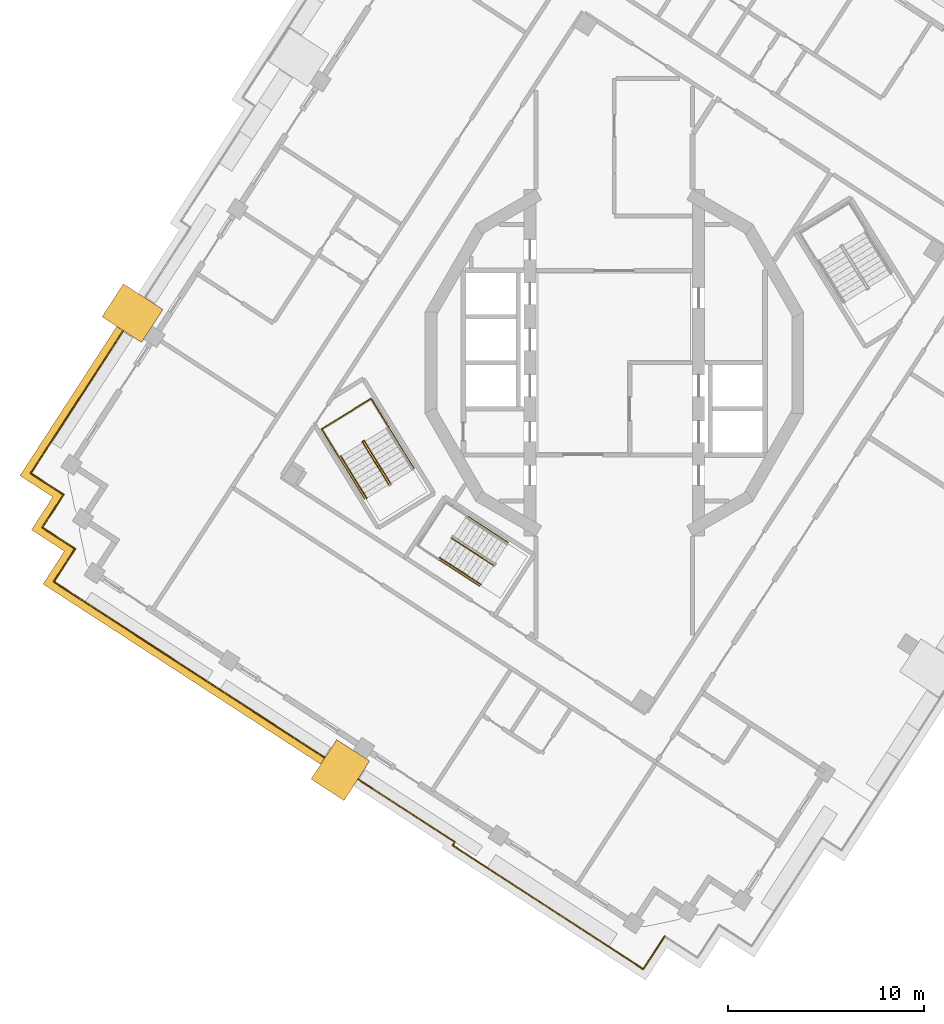
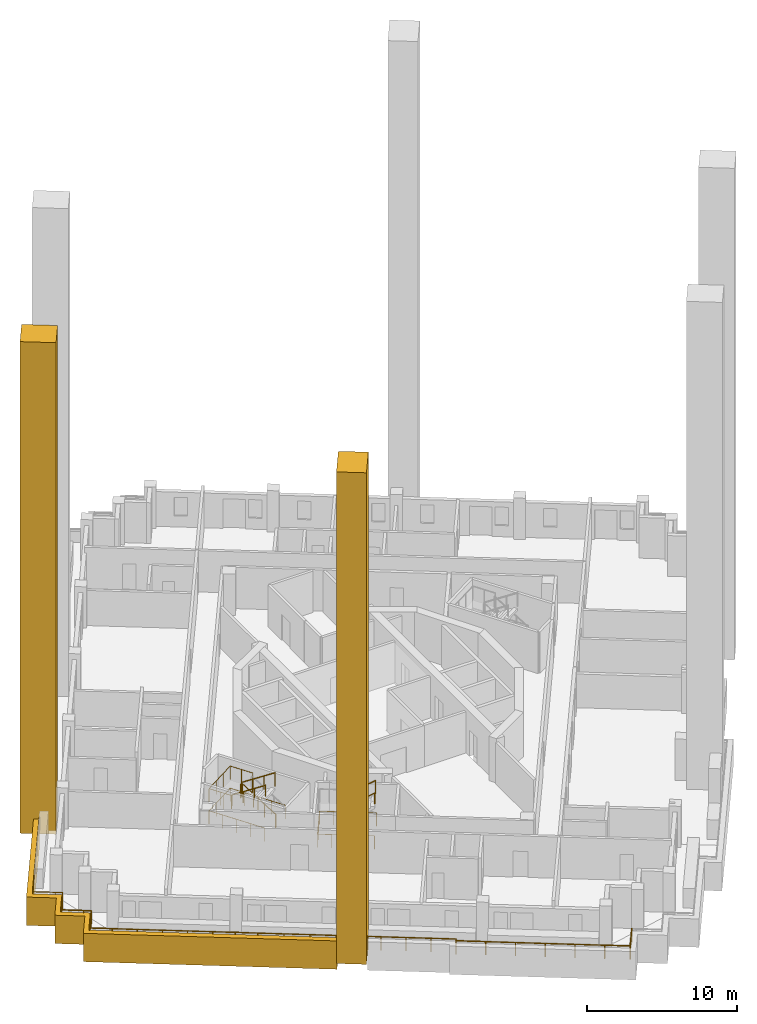
# One storey, part 10 of 15: 11 railings, 3 coverings.
"""IFC4 building model written with IfcOpenShell, lengths in metres."""

from ifc_helpers import new_model, si_unit, direction, frame, origin, origin_2d, place, context, subcontext, project, spatial, polyline, rectangle, circle, outline, extrude, material, type_object, element, save


model = new_model("IFC4")

# Units and contexts
model_context = context("Model", 3, precision=1e-05, world=origin(), true_north=direction((0.0, 1.0)))
body_context = subcontext(model_context, "Body", "Model", "MODEL_VIEW")
ifc_project = project(units=[si_unit("LENGTHUNIT", "METRE"), si_unit("AREAUNIT", "SQUARE_METRE"), si_unit("VOLUMEUNIT", "CUBIC_METRE"), si_unit("PLANEANGLEUNIT", "RADIAN"), si_unit("MASSUNIT", "GRAM", prefix="KILO")], contexts=[model_context])

# Site, building, storey
site_placement = place(None, origin())
site = spatial("IfcSite", under=ifc_project, at=site_placement, CompositionType="ELEMENT")
building_placement = place(site_placement, origin())
building = spatial("IfcBuilding", under=site, at=building_placement, Name="Cantera Rosa Tower", CompositionType="ELEMENT")
storey_placement = place(building_placement, frame((0.0, 0.0, 250.5)))
storey = spatial("IfcBuildingStorey", under=building, at=storey_placement, Name="L55", CompositionType="ELEMENT", Elevation=250.5)

# Railings
ifc_material_1 = material(Name="Stainless steel and laminated glass", Category="steel")
railing_type_1 = type_object("IfcRailingType", Name="GUARD 1100", PredefinedType="BALUSTRADE", material=ifc_material_1)
railing_1_placement = place(storey_placement, frame((-28.3720703125, -7.151123046875, 0.0)))
element("IfcRailing", 1, at=railing_1_placement, inside=storey, type_object=railing_type_1, Name="GUARD L55-1", PredefinedType="BALUSTRADE", context=body_context, shape_type="SweptSolid", body=[
    extrude(circle(Radius=0.030029296875, at=origin_2d()), frame((0.0, 0.0, 1.070068359375), z_axis=(0.544627753175, 0.83867789435, 0.0), x_axis=(-0.83867789435, 0.544627753175, 0.0)), (0.0, 0.0, 1.0), 0.499755859375),
    extrude(circle(Radius=0.030029296875, at=origin_2d()), frame((0.272216796875, 0.419189453125, 1.070068359375), z_axis=(-0.838454772945, 0.544971186143, 0.0), x_axis=(-0.544971186143, -0.838454772945, 0.0)), (0.0, 0.0, 1.0), 0.5),
    extrude(circle(Radius=0.030029296875, at=origin_2d()), frame((-0.14697265625, 0.691650390625, 1.070068359375), z_axis=(-0.8387001057, 0.544593548161, 0.0), x_axis=(-0.544593548161, -0.8387001057, 0.0)), (0.0, 0.0, 1.0), 1.5),
    extrude(circle(Radius=0.030029296875, at=origin_2d()), frame((-1.405029296875, 1.508544921875, 1.070068359375), z_axis=(0.544593548161, 0.8387001057, 0.0), x_axis=(-0.8387001057, 0.544593548161, 0.0)), (0.0, 0.0, 1.0), 1.5),
    extrude(circle(Radius=0.030029296875, at=origin_2d()), frame((-0.588134765625, 2.7666015625, 1.070068359375), z_axis=(0.544645228423, 0.838666545867, 0.0), x_axis=(-0.838666545867, 0.544645228423, 0.0)), (0.0, 0.0, 1.0), 6.2783203125),
    extrude(circle(Radius=0.030029296875, at=origin_2d()), frame((2.831298828125, 8.031982421875, 1.070068359375), z_axis=(-0.832050294338, 0.554700196225, 0.0), x_axis=(-0.554700196225, -0.832050294338, 0.0)), (0.0, 0.0, 1.0), 0.001708984375),
    extrude(circle(Radius=0.030029296875, at=origin_2d()), frame((2.829833984375, 8.032958984375, 1.070068359375), z_axis=(0.544643812911, 0.838667465124, 0.0), x_axis=(-0.838667465124, 0.544643812911, 0.0)), (0.0, 0.0, 1.0), 0.871826171875),
    extrude(circle(Radius=0.02490234375, at=origin_2d()), origin(), (0.0, 0.0, 1.0), 1.0400390625),
    extrude(circle(Radius=0.02490234375, at=origin_2d()), frame((0.272216796875, 0.419189453125, 0.0)), (0.0, 0.0, 1.0), 1.0400390625),
    extrude(circle(Radius=0.02490234375, at=origin_2d()), frame((-0.14697265625, 0.691650390625, 0.0)), (0.0, 0.0, 1.0), 1.0400390625),
    extrude(circle(Radius=0.02490234375, at=origin_2d()), frame((-1.405029296875, 1.508544921875, 0.0)), (0.0, 0.0, 1.0), 1.0400390625),
    extrude(circle(Radius=0.02490234375, at=origin_2d()), frame((-0.588134765625, 2.7666015625, 0.0)), (0.0, 0.0, 1.0), 1.0400390625),
    extrude(circle(Radius=0.02490234375, at=origin_2d()), frame((0.5517578125, 4.521728515625, 0.0)), (0.0, 0.0, 1.0), 1.0400390625),
    extrude(circle(Radius=0.02490234375, at=origin_2d()), frame((1.69140625, 6.27685546875, 0.0)), (0.0, 0.0, 1.0), 1.0400390625),
    extrude(circle(Radius=0.02490234375, at=origin_2d()), frame((2.831298828125, 8.031982421875, 0.0)), (0.0, 0.0, 1.0), 1.0400390625),
    extrude(circle(Radius=0.02490234375, at=origin_2d()), frame((2.829833984375, 8.032958984375, 0.0)), (0.0, 0.0, 1.0), 1.0400390625),
    extrude(circle(Radius=0.02490234375, at=origin_2d()), frame((3.3046875, 8.76416015625, 0.0)), (0.0, 0.0, 1.0), 1.0400390625),
])
railing_2_placement = place(storey_placement, frame((-14.7880859375, -20.14599609375, 0.0)))
element("IfcRailing", 2, at=railing_2_placement, inside=storey, type_object=railing_type_1, Name="GUARD L55-2", PredefinedType="BALUSTRADE", context=body_context, shape_type="SweptSolid", body=[
    extrude(circle(Radius=0.030029296875, at=origin_2d()), frame((0.0, 0.0, 1.070068359375), z_axis=(-0.838443616301, 0.544988350595, 0.0), x_axis=(-0.544988350595, -0.838443616301, 0.0)), (0.0, 0.0, 1.0), 0.06982421875),
    extrude(circle(Radius=0.030029296875, at=origin_2d()), frame((-0.05859375, 0.0380859375, 1.070068359375), z_axis=(-0.838657010828, 0.544659910576, 0.0), x_axis=(-0.544659910576, -0.838657010828, 0.0)), (0.0, 0.0, 1.0), 5.2001953125),
    extrude(circle(Radius=0.030029296875, at=origin_2d()), frame((-4.419677734375, 2.870361328125, 1.070068359375), z_axis=(-0.8387001057, 0.544593548161, 0.0), x_axis=(-0.544593548161, -0.8387001057, 0.0)), (0.0, 0.0, 1.0), 3.0),
    extrude(circle(Radius=0.030029296875, at=origin_2d()), frame((-6.935791015625, 4.504150390625, 1.070068359375), z_axis=(-0.838666659313, 0.544645053734, 0.0), x_axis=(-0.544645053734, -0.838666659313, 0.0)), (0.0, 0.0, 1.0), 6.7001953125),
    extrude(circle(Radius=0.030029296875, at=origin_2d()), frame((-12.554931640625, 8.1533203125, 1.070068359375), z_axis=(-0.838651824232, 0.544667896716, 0.0), x_axis=(-0.544667896716, -0.838651824232, 0.0)), (0.0, 0.0, 1.0), 1.499755859375),
    extrude(circle(Radius=0.030029296875, at=origin_2d()), frame((-13.812744140625, 8.97021484375, 1.070068359375), z_axis=(0.544593548161, 0.8387001057, 0.0), x_axis=(-0.8387001057, 0.544593548161, 0.0)), (0.0, 0.0, 1.0), 1.5),
    extrude(circle(Radius=0.030029296875, at=origin_2d()), frame((-12.995849609375, 10.228271484375, 1.070068359375), z_axis=(0.544627753175, 0.83867789435, 0.0), x_axis=(-0.83867789435, 0.544627753175, 0.0)), (0.0, 0.0, 1.0), 0.499755859375),
    extrude(circle(Radius=0.030029296875, at=origin_2d()), frame((-12.7236328125, 10.6474609375, 1.070068359375), z_axis=(-0.838454772945, 0.544971186143, 0.0), x_axis=(-0.544971186143, -0.838454772945, 0.0)), (0.0, 0.0, 1.0), 0.5),
    extrude(circle(Radius=0.030029296875, at=origin_2d()), frame((-13.142822265625, 10.919921875, 1.070068359375), z_axis=(-0.8387001057, 0.544593548161, 0.0), x_axis=(-0.544593548161, -0.8387001057, 0.0)), (0.0, 0.0, 1.0), 1.5),
    extrude(circle(Radius=0.030029296875, at=origin_2d()), frame((-14.40087890625, 11.73681640625, 1.070068359375), z_axis=(0.544593548161, 0.8387001057, 0.0), x_axis=(-0.8387001057, 0.544593548161, 0.0)), (0.0, 0.0, 1.0), 1.5),
    extrude(circle(Radius=0.02490234375, at=origin_2d()), origin(), (0.0, 0.0, 1.0), 1.0400390625),
    extrude(circle(Radius=0.02490234375, at=origin_2d()), frame((-0.05859375, 0.0380859375, 0.0)), (0.0, 0.0, 1.0), 1.0400390625),
    extrude(circle(Radius=0.02490234375, at=origin_2d()), frame((-1.51220703125, 0.982177734375, 0.0)), (0.0, 0.0, 1.0), 1.0400390625),
    extrude(circle(Radius=0.02490234375, at=origin_2d()), frame((-2.966064453125, 1.92626953125, 0.0)), (0.0, 0.0, 1.0), 1.0400390625),
    extrude(circle(Radius=0.02490234375, at=origin_2d()), frame((-4.419677734375, 2.870361328125, 0.0)), (0.0, 0.0, 1.0), 1.0400390625),
    extrude(circle(Radius=0.02490234375, at=origin_2d()), frame((-5.677734375, 3.687255859375, 0.0)), (0.0, 0.0, 1.0), 1.0400390625),
    extrude(circle(Radius=0.02490234375, at=origin_2d()), frame((-6.935791015625, 4.504150390625, 0.0)), (0.0, 0.0, 1.0), 1.0400390625),
    extrude(circle(Radius=0.02490234375, at=origin_2d()), frame((-8.340576171875, 5.41650390625, 0.0)), (0.0, 0.0, 1.0), 1.0400390625),
    extrude(circle(Radius=0.02490234375, at=origin_2d()), frame((-9.745361328125, 6.32861328125, 0.0)), (0.0, 0.0, 1.0), 1.0400390625),
    extrude(circle(Radius=0.02490234375, at=origin_2d()), frame((-11.150146484375, 7.240966796875, 0.0)), (0.0, 0.0, 1.0), 1.0400390625),
    extrude(circle(Radius=0.02490234375, at=origin_2d()), frame((-12.554931640625, 8.1533203125, 0.0)), (0.0, 0.0, 1.0), 1.0400390625),
    extrude(circle(Radius=0.02490234375, at=origin_2d()), frame((-13.812744140625, 8.97021484375, 0.0)), (0.0, 0.0, 1.0), 1.0400390625),
    extrude(circle(Radius=0.02490234375, at=origin_2d()), frame((-12.995849609375, 10.228271484375, 0.0)), (0.0, 0.0, 1.0), 1.0400390625),
    extrude(circle(Radius=0.02490234375, at=origin_2d()), frame((-12.7236328125, 10.6474609375, 0.0)), (0.0, 0.0, 1.0), 1.0400390625),
    extrude(circle(Radius=0.02490234375, at=origin_2d()), frame((-13.142822265625, 10.919921875, 0.0)), (0.0, 0.0, 1.0), 1.0400390625),
    extrude(circle(Radius=0.02490234375, at=origin_2d()), frame((-14.40087890625, 11.73681640625, 0.0)), (0.0, 0.0, 1.0), 1.0400390625),
    extrude(circle(Radius=0.02490234375, at=origin_2d()), frame((-13.583984375, 12.994873046875, 0.0)), (0.0, 0.0, 1.0), 1.0400390625),
])
railing_3_placement = place(storey_placement, frame((2.571533203125, -29.273193359375, 0.0)))
element("IfcRailing", 3, at=railing_3_placement, inside=storey, type_object=railing_type_1, Name="GUARD L55-5", PredefinedType="BALUSTRADE", context=body_context, shape_type="SweptSolid", body=[
    extrude(circle(Radius=0.030029296875, at=origin_2d()), frame((0.0, 0.0, 1.070068359375), z_axis=(-0.5443304008, -0.838870916629, 0.0), x_axis=(0.838870916629, -0.5443304008, 0.0)), (0.0, 0.0, 1.0), 0.300048828125),
    extrude(circle(Radius=0.030029296875, at=origin_2d()), frame((-0.163330078125, -0.251708984375, 1.070068359375), z_axis=(-0.544751065329, -0.83859780397, 0.0), x_axis=(0.83859780397, -0.544751065329, 0.0)), (0.0, 0.0, 1.0), 1.699951171875),
    extrude(circle(Radius=0.030029296875, at=origin_2d()), frame((-1.08935546875, -1.67724609375, 1.070068359375), z_axis=(-0.838663412569, 0.54465005317, 0.0), x_axis=(-0.54465005317, -0.838663412569, 0.0)), (0.0, 0.0, 1.0), 1.69970703125),
    extrude(circle(Radius=0.030029296875, at=origin_2d()), frame((-2.514892578125, -0.75146484375, 1.070068359375), z_axis=(-0.83867848478, 0.544626843964, 0.0), x_axis=(-0.544626843964, -0.83867848478, 0.0)), (0.0, 0.0, 1.0), 9.900146484375),
    extrude(circle(Radius=0.030029296875, at=origin_2d()), frame((-10.81787109375, 4.640380859375, 1.070068359375), z_axis=(0.544516215992, 0.838750314767, 0.0), x_axis=(-0.838750314767, 0.544516215992, 0.0)), (0.0, 0.0, 1.0), 0.199951171875),
    extrude(circle(Radius=0.030029296875, at=origin_2d()), frame((-10.708984375, 4.80810546875, 1.070068359375), z_axis=(-0.838653278808, 0.544665657027, 0.0), x_axis=(-0.544665657027, -0.838653278808, 0.0)), (0.0, 0.0, 1.0), 5.0),
    extrude(circle(Radius=0.030029296875, at=origin_2d()), frame((-14.90234375, 7.531494140625, 1.070068359375), z_axis=(-0.838725681888, 0.544554157584, 0.0), x_axis=(-0.544554157584, -0.838725681888, 0.0)), (0.0, 0.0, 1.0), 0.869873046875),
    extrude(circle(Radius=0.02490234375, at=origin_2d()), origin(), (0.0, 0.0, 1.0), 1.0400390625),
    extrude(circle(Radius=0.02490234375, at=origin_2d()), frame((-0.163330078125, -0.251708984375, 0.0)), (0.0, 0.0, 1.0), 1.0400390625),
    extrude(circle(Radius=0.02490234375, at=origin_2d()), frame((-1.08935546875, -1.67724609375, 0.0)), (0.0, 0.0, 1.0), 1.0400390625),
    extrude(circle(Radius=0.02490234375, at=origin_2d()), frame((-2.514892578125, -0.75146484375, 0.0)), (0.0, 0.0, 1.0), 1.0400390625),
    extrude(circle(Radius=0.02490234375, at=origin_2d()), frame((-4.175537109375, 0.326904296875, 0.0)), (0.0, 0.0, 1.0), 1.0400390625),
    extrude(circle(Radius=0.02490234375, at=origin_2d()), frame((-5.836181640625, 1.4052734375, 0.0)), (0.0, 0.0, 1.0), 1.0400390625),
    extrude(circle(Radius=0.02490234375, at=origin_2d()), frame((-7.49658203125, 2.483642578125, 0.0)), (0.0, 0.0, 1.0), 1.0400390625),
    extrude(circle(Radius=0.02490234375, at=origin_2d()), frame((-9.1572265625, 3.56201171875, 0.0)), (0.0, 0.0, 1.0), 1.0400390625),
    extrude(circle(Radius=0.02490234375, at=origin_2d()), frame((-10.81787109375, 4.640380859375, 0.0)), (0.0, 0.0, 1.0), 1.0400390625),
    extrude(circle(Radius=0.02490234375, at=origin_2d()), frame((-10.708984375, 4.80810546875, 0.0)), (0.0, 0.0, 1.0), 1.0400390625),
    extrude(circle(Radius=0.02490234375, at=origin_2d()), frame((-12.106689453125, 5.7158203125, 0.0)), (0.0, 0.0, 1.0), 1.0400390625),
    extrude(circle(Radius=0.02490234375, at=origin_2d()), frame((-13.504638671875, 6.623779296875, 0.0)), (0.0, 0.0, 1.0), 1.0400390625),
    extrude(circle(Radius=0.02490234375, at=origin_2d()), frame((-14.90234375, 7.531494140625, 0.0)), (0.0, 0.0, 1.0), 1.0400390625),
    extrude(circle(Radius=0.02490234375, at=origin_2d()), frame((-15.6318359375, 8.005126953125, 0.0)), (0.0, 0.0, 1.0), 1.0400390625),
])
ifc_material_2 = material(Name="Steel S355J2 (EN 10025-2)", Category="steel")
railing_type_2 = type_object("IfcRailingType", Name="STAIR GUARD 1100", PredefinedType="GUARDRAIL", material=ifc_material_2)
railing_4_placement = place(storey_placement, frame((-11.42333984375, -6.165771484375, 0.179931640625)))
element("IfcRailing", 4, at=railing_4_placement, inside=storey, type_object=railing_type_2, Name="L55 ST-52 stair guard 1", PredefinedType="GUARDRAIL", context=body_context, shape_type="SweptSolid", body=[
    extrude(circle(Radius=0.02392578125, at=origin_2d()), frame((0.0, 0.0, 1.076171875), z_axis=(-0.441609067481, 0.715913574058, 0.540785711718), x_axis=(-0.851102330005, -0.524999832248, 0.0)), (0.0, 0.0, 1.0), 2.995849609375),
    extrude(circle(Radius=0.02392578125, at=origin_2d()), frame((-1.322998046875, 2.144775390625, 2.6962890625), z_axis=(-0.073711968402, 0.997279572494, 0.0), x_axis=(-0.997279572494, -0.073711968402, 0.0)), (0.0, 0.0, 1.0), 0.056396484375),
    extrude(circle(Radius=0.02392578125, at=origin_2d()), frame((-1.3271484375, 2.200927734375, 2.6962890625), z_axis=(-0.851546489876, -0.524279100842, 0.0), x_axis=(0.524279100842, -0.851546489876, 0.0)), (0.0, 0.0, 1.0), 0.14990234375),
    extrude(circle(Radius=0.02099609375, at=origin_2d()), origin(), (0.0, 0.0, 1.0), 1.052001953125),
    extrude(circle(Radius=0.02099609375, at=origin_2d()), frame((-0.44091796875, 0.71484375, 0.5400390625)), (0.0, 0.0, 1.0), 1.052001953125),
    extrude(circle(Radius=0.02099609375, at=origin_2d()), frame((-0.882080078125, 1.429931640625, 1.080078125)), (0.0, 0.0, 1.0), 1.052001953125),
    extrude(circle(Radius=0.02099609375, at=origin_2d()), frame((-1.322998046875, 2.144775390625, 1.6201171875)), (0.0, 0.0, 1.0), 1.052001953125),
    extrude(circle(Radius=0.02099609375, at=origin_2d()), frame((-1.3271484375, 2.200927734375, 1.6201171875)), (0.0, 0.0, 1.0), 1.052001953125),
    extrude(circle(Radius=0.02099609375, at=origin_2d()), frame((-1.454833984375, 2.122314453125, 1.6201171875)), (0.0, 0.0, 1.0), 1.052001953125),
])
railing_5_placement = place(storey_placement, frame((-12.82958984375, -4.072509765625, 1.97998046875)))
element("IfcRailing", 5, at=railing_5_placement, inside=storey, type_object=railing_type_2, Name="L55 ST-52 stair guard 2", PredefinedType="GUARDRAIL", context=body_context, shape_type="SweptSolid", body=[
    extrude(circle(Radius=0.02392578125, at=origin_2d()), frame((0.0, 0.0, 1.076171875), z_axis=(0.44154346381, -0.715939337315, 0.540805172729), x_axis=(0.851145618652, 0.524929648476, 0.0)), (0.0, 0.0, 1.0), 2.995849609375),
    extrude(circle(Radius=0.02099609375, at=origin_2d()), origin(), (0.0, 0.0, 1.0), 1.052001953125),
    extrude(circle(Radius=0.02099609375, at=origin_2d()), frame((0.44091796875, -0.71484375, 0.5400390625)), (0.0, 0.0, 1.0), 1.052001953125),
    extrude(circle(Radius=0.02099609375, at=origin_2d()), frame((0.8818359375, -1.429931640625, 1.080078125)), (0.0, 0.0, 1.0), 1.052001953125),
    extrude(circle(Radius=0.02099609375, at=origin_2d()), frame((1.32275390625, -2.144775390625, 1.6201171875)), (0.0, 0.0, 1.0), 1.052001953125),
])
railing_6_placement = place(storey_placement, frame((-10.20751953125, -5.40185546875, 0.0)))
element("IfcRailing", 6, at=railing_6_placement, inside=storey, type_object=railing_type_2, Name="L55 ST-52 stair guard 4", PredefinedType="GUARDRAIL", context=body_context, shape_type="SweptSolid", body=[
    extrude(circle(Radius=0.02392578125, at=origin_2d()), frame((0.0, 0.0, 1.076171875), z_axis=(-0.524976478809, 0.851116735059, 0.0), x_axis=(-0.851116735059, -0.524976478809, 0.0)), (0.0, 0.0, 1.0), 4.197998046875),
    extrude(circle(Radius=0.02392578125, at=origin_2d()), frame((-2.203857421875, 3.572998046875, 1.076171875), z_axis=(-0.851132917336, -0.524950242429, 0.0), x_axis=(0.524950242429, -0.851132917336, 0.0)), (0.0, 0.0, 1.0), 2.969970703125),
    extrude(circle(Radius=0.02392578125, at=origin_2d()), frame((-4.731689453125, 2.013916015625, 1.076171875), z_axis=(0.524976478809, -0.851116735059, 0.0), x_axis=(0.851116735059, 0.524976478809, 0.0)), (0.0, 0.0, 1.0), 4.197998046875),
    extrude(circle(Radius=0.02099609375, at=origin_2d()), origin(), (0.0, 0.0, 1.0), 1.052001953125),
    extrude(circle(Radius=0.02099609375, at=origin_2d()), frame((-0.551025390625, 0.893310546875, 0.0)), (0.0, 0.0, 1.0), 1.052001953125),
    extrude(circle(Radius=0.02099609375, at=origin_2d()), frame((-1.10205078125, 1.78662109375, 0.0)), (0.0, 0.0, 1.0), 1.052001953125),
    extrude(circle(Radius=0.02099609375, at=origin_2d()), frame((-1.65283203125, 2.6796875, 0.0)), (0.0, 0.0, 1.0), 1.052001953125),
    extrude(circle(Radius=0.02099609375, at=origin_2d()), frame((-2.203857421875, 3.572998046875, 0.0)), (0.0, 0.0, 1.0), 1.052001953125),
    extrude(circle(Radius=0.02099609375, at=origin_2d()), frame((-3.04638671875, 3.05322265625, 0.0)), (0.0, 0.0, 1.0), 1.052001953125),
    extrude(circle(Radius=0.02099609375, at=origin_2d()), frame((-3.88916015625, 2.53369140625, 0.0)), (0.0, 0.0, 1.0), 1.052001953125),
    extrude(circle(Radius=0.02099609375, at=origin_2d()), frame((-4.731689453125, 2.013916015625, 0.0)), (0.0, 0.0, 1.0), 1.052001953125),
    extrude(circle(Radius=0.02099609375, at=origin_2d()), frame((-4.1806640625, 1.12060546875, 0.0)), (0.0, 0.0, 1.0), 1.052001953125),
    extrude(circle(Radius=0.02099609375, at=origin_2d()), frame((-3.6298828125, 0.2275390625, 0.0)), (0.0, 0.0, 1.0), 1.052001953125),
    extrude(circle(Radius=0.02099609375, at=origin_2d()), frame((-3.078857421875, -0.665771484375, 0.0)), (0.0, 0.0, 1.0), 1.052001953125),
    extrude(circle(Radius=0.02099609375, at=origin_2d()), frame((-2.52783203125, -1.55908203125, 0.0)), (0.0, 0.0, 1.0), 1.052001953125),
])
railing_7_placement = place(storey_placement, frame((-11.517822265625, -3.27734375, 1.800048828125)))
element("IfcRailing", 7, at=railing_7_placement, inside=storey, type_object=railing_type_2, Name="L55 ST-52 stair guard 5", PredefinedType="GUARDRAIL", context=body_context, shape_type="SweptSolid", body=[
    extrude(circle(Radius=0.02392578125, at=origin_2d()), frame((0.0, 0.0, 1.076171875), z_axis=(-0.525025534833, 0.851086474909, 0.0), x_axis=(-0.851086474909, -0.525025534833, 0.0)), (0.0, 0.0, 1.0), 1.701904296875),
    extrude(circle(Radius=0.02392578125, at=origin_2d()), frame((-0.8935546875, 1.448486328125, 1.076171875), z_axis=(-0.851132917336, -0.524950242429, 0.0), x_axis=(0.524950242429, -0.851132917336, 0.0)), (0.0, 0.0, 1.0), 2.969970703125),
    extrude(circle(Radius=0.02392578125, at=origin_2d()), frame((-3.42138671875, -0.110595703125, 1.076171875), z_axis=(0.524961441845, -0.851126009811, 0.0), x_axis=(0.851126009811, 0.524961441845, 0.0)), (0.0, 0.0, 1.0), 1.7021484375),
    extrude(circle(Radius=0.02099609375, at=origin_2d()), origin(), (0.0, 0.0, 1.0), 1.052001953125),
    extrude(circle(Radius=0.02099609375, at=origin_2d()), frame((-0.44677734375, 0.72412109375, 0.0)), (0.0, 0.0, 1.0), 1.052001953125),
    extrude(circle(Radius=0.02099609375, at=origin_2d()), frame((-0.8935546875, 1.448486328125, 0.0)), (0.0, 0.0, 1.0), 1.052001953125),
    extrude(circle(Radius=0.02099609375, at=origin_2d()), frame((-1.736083984375, 0.9287109375, 0.0)), (0.0, 0.0, 1.0), 1.052001953125),
    extrude(circle(Radius=0.02099609375, at=origin_2d()), frame((-2.578857421875, 0.4091796875, 0.0)), (0.0, 0.0, 1.0), 1.052001953125),
    extrude(circle(Radius=0.02099609375, at=origin_2d()), frame((-3.42138671875, -0.110595703125, 0.0)), (0.0, 0.0, 1.0), 1.052001953125),
    extrude(circle(Radius=0.02099609375, at=origin_2d()), frame((-2.974609375, -0.8349609375, 0.0)), (0.0, 0.0, 1.0), 1.052001953125),
    extrude(circle(Radius=0.02099609375, at=origin_2d()), frame((-2.52783203125, -1.559326171875, 0.0)), (0.0, 0.0, 1.0), 1.052001953125),
])
railing_8_placement = place(storey_placement, frame((-8.270751953125, -8.963134765625, 1.97998046875)))
element("IfcRailing", 8, at=railing_8_placement, inside=storey, type_object=railing_type_2, Name="L55 ST-53 stair guard 2", PredefinedType="GUARDRAIL", context=body_context, shape_type="SweptSolid", body=[
    extrude(circle(Radius=0.02392578125, at=origin_2d()), frame((0.0, 0.0, 1.076171875), z_axis=(0.705447416084, -0.4581007308, 0.540821286175), x_axis=(0.54462048956, 0.838682611213, 0.0)), (0.0, 0.0, 1.0), 2.99560546875),
    extrude(circle(Radius=0.02099609375, at=origin_2d()), origin(), (0.0, 0.0, 1.0), 1.052001953125),
    extrude(circle(Radius=0.02099609375, at=origin_2d()), frame((0.704345703125, -0.45751953125, 0.5400390625)), (0.0, 0.0, 1.0), 1.052001953125),
    extrude(circle(Radius=0.02099609375, at=origin_2d()), frame((1.408935546875, -0.914794921875, 1.080078125)), (0.0, 0.0, 1.0), 1.052001953125),
    extrude(circle(Radius=0.02099609375, at=origin_2d()), frame((2.11328125, -1.372314453125, 1.6201171875)), (0.0, 0.0, 1.0), 1.052001953125),
])
railing_9_placement = place(storey_placement, frame((-5.41357421875, -9.168212890625, 0.0)))
element("IfcRailing", 9, at=railing_9_placement, inside=storey, type_object=railing_type_2, Name="L55 ST-53 stair guard 4", PredefinedType="GUARDRAIL", context=body_context, shape_type="SweptSolid", body=[
    extrude(circle(Radius=0.02392578125, at=origin_2d()), frame((0.0, 0.0, 1.076171875), z_axis=(-0.838665308336, 0.544647134018, 0.0), x_axis=(-0.544647134018, -0.838665308336, 0.0)), (0.0, 0.0, 1.0), 3.798095703125),
    extrude(circle(Radius=0.02392578125, at=origin_2d()), frame((-3.185302734375, 2.068603515625, 1.076171875), z_axis=(-0.544679779991, -0.838644106442, 0.0), x_axis=(0.838644106442, -0.544679779991, 0.0)), (0.0, 0.0, 1.0), 2.670166015625),
    extrude(circle(Radius=0.02392578125, at=origin_2d()), frame((-4.6396484375, -0.170654296875, 1.076171875), z_axis=(0.838665308336, -0.544647134018, 0.0), x_axis=(0.544647134018, 0.838665308336, 0.0)), (0.0, 0.0, 1.0), 3.798095703125),
    extrude(circle(Radius=0.02099609375, at=origin_2d()), origin(), (0.0, 0.0, 1.0), 1.052001953125),
    extrude(circle(Radius=0.02099609375, at=origin_2d()), frame((-0.79638671875, 0.51708984375, 0.0)), (0.0, 0.0, 1.0), 1.052001953125),
    extrude(circle(Radius=0.02099609375, at=origin_2d()), frame((-1.5927734375, 1.0341796875, 0.0)), (0.0, 0.0, 1.0), 1.052001953125),
    extrude(circle(Radius=0.02099609375, at=origin_2d()), frame((-2.388916015625, 1.551513671875, 0.0)), (0.0, 0.0, 1.0), 1.052001953125),
    extrude(circle(Radius=0.02099609375, at=origin_2d()), frame((-3.185302734375, 2.068603515625, 0.0)), (0.0, 0.0, 1.0), 1.052001953125),
    extrude(circle(Radius=0.02099609375, at=origin_2d()), frame((-3.670166015625, 1.322265625, 0.0)), (0.0, 0.0, 1.0), 1.052001953125),
    extrude(circle(Radius=0.02099609375, at=origin_2d()), frame((-4.15478515625, 0.57568359375, 0.0)), (0.0, 0.0, 1.0), 1.052001953125),
    extrude(circle(Radius=0.02099609375, at=origin_2d()), frame((-4.6396484375, -0.170654296875, 0.0)), (0.0, 0.0, 1.0), 1.052001953125),
    extrude(circle(Radius=0.02099609375, at=origin_2d()), frame((-3.84326171875, -0.687744140625, 0.0)), (0.0, 0.0, 1.0), 1.052001953125),
    extrude(circle(Radius=0.02099609375, at=origin_2d()), frame((-3.046875, -1.205078125, 0.0)), (0.0, 0.0, 1.0), 1.052001953125),
    extrude(circle(Radius=0.02099609375, at=origin_2d()), frame((-2.250732421875, -1.72216796875, 0.0)), (0.0, 0.0, 1.0), 1.052001953125),
    extrude(circle(Radius=0.02099609375, at=origin_2d()), frame((-1.454345703125, -2.2392578125, 0.0)), (0.0, 0.0, 1.0), 1.052001953125),
])
ifc_material_3 = material(Name="Steel S355J2 (EN 10025-2)", Category="steel")
railing_type_3 = type_object("IfcRailingType", Name="STAIR HANDRAIL 900", PredefinedType="HANDRAIL", material=ifc_material_3)
railing_10_placement = place(storey_placement, frame((-13.958251953125, -4.7685546875, 1.97998046875)))
element("IfcRailing", 10, at=railing_10_placement, inside=storey, type_object=railing_type_3, Name="L55 ST-52 stair handrail 2", PredefinedType="HANDRAIL", context=body_context, shape_type="SweptSolid", body=[
    extrude(circle(Radius=0.02392578125, at=origin_2d()), frame((0.0, 0.0, 0.8759765625), z_axis=(0.441609067481, -0.715913574058, 0.540785711718), x_axis=(0.851102330005, 0.524999832248, 0.0)), (0.0, 0.0, 1.0), 2.995849609375),
    extrude(circle(Radius=0.02099609375, at=origin_2d()), origin(), (0.0, 0.0, 1.0), 0.851806640625),
    extrude(circle(Radius=0.02099609375, at=origin_2d()), frame((0.44091796875, -0.71484375, 0.5400390625)), (0.0, 0.0, 1.0), 0.851806640625),
    extrude(circle(Radius=0.02099609375, at=origin_2d()), frame((0.882080078125, -1.429931640625, 1.080078125)), (0.0, 0.0, 1.0), 0.851806640625),
    extrude(circle(Radius=0.02099609375, at=origin_2d()), frame((1.322998046875, -2.144775390625, 1.6201171875)), (0.0, 0.0, 1.0), 0.851806640625),
])
railing_11_placement = place(storey_placement, frame((-8.911376953125, -9.94921875, 1.97998046875)))
element("IfcRailing", 11, at=railing_11_placement, inside=storey, type_object=railing_type_3, Name="L55 ST-53 stair handrail 2", PredefinedType="HANDRAIL", context=body_context, shape_type="SweptSolid", body=[
    extrude(circle(Radius=0.02392578125, at=origin_2d()), frame((0.0, 0.0, 0.8759765625), z_axis=(0.705462015847, -0.458138784, 0.540770005448), x_axis=(0.544644381691, 0.838667095749, 0.0)), (0.0, 0.0, 1.0), 2.995849609375),
    extrude(circle(Radius=0.02099609375, at=origin_2d()), origin(), (0.0, 0.0, 1.0), 0.851806640625),
    extrude(circle(Radius=0.02099609375, at=origin_2d()), frame((0.70458984375, -0.45751953125, 0.5400390625)), (0.0, 0.0, 1.0), 0.851806640625),
    extrude(circle(Radius=0.02099609375, at=origin_2d()), frame((1.408935546875, -0.9150390625, 1.080078125)), (0.0, 0.0, 1.0), 0.851806640625),
    extrude(circle(Radius=0.02099609375, at=origin_2d()), frame((2.113525390625, -1.37255859375, 1.6201171875)), (0.0, 0.0, 1.0), 0.851806640625),
])

# Coverings
ifc_material_4 = material(Name="Cantera stone", Category="masonry")
covering_type_1 = type_object("IfcCoveringType", Name="STONE FIN 2000x2400", PredefinedType="CLADDING", material=ifc_material_4)
for number, where, z_axis, x_axis, name in (
    (12, (-24.5888671875, 2.5302734375, -0.300048828125), (0.0, 0.0, 1.0), (-0.544639035015, -0.838670567945, 0.0), "STONE FIN FN-Z5-03"),
    (13, (-13.978759765625, -20.790771484375, -0.300048828125), (0.0, 0.0, 1.0), (0.838670567945, -0.544639035015, 0.0), "STONE FIN FN-Z5-06"),
):
    element("IfcCovering", number, at=place(storey_placement, frame(where, z_axis=z_axis, x_axis=x_axis)), inside=storey, type_object=covering_type_1, Name=name, PredefinedType="CLADDING", context=body_context, shape_type="SweptSolid", body=[
        extrude(rectangle(XDim=2.0, YDim=2.39990234375, at=origin_2d()), origin(), (0.0, 0.0, 1.0), 39.89990234375),
    ])
ifc_material_5 = material(Name="Cantera stone", Category="masonry")
covering_type_2 = type_object("IfcCoveringType", Name="TRAY FASCIA 400", PredefinedType="CLADDING", material=ifc_material_5)
covering_placement = place(storey_placement, frame((0.0, 0.0, -1.39990234375)))
element("IfcCovering", 14, at=covering_placement, inside=storey, type_object=covering_type_2, Name="TRAY FASCIA L55-01", PredefinedType="CLADDING", context=body_context, shape_type="SweptSolid", body=[
    extrude(outline(polyline([(-15.064697265625, -20.443359375), (-19.42578125, -17.611328125), (-21.941650390625, -15.977294921875), (-27.560791015625, -12.328125), (-29.154296875, -11.29345703125), (-28.119384765625, -9.699951171875), (-28.06494140625, -9.615966796875), (-28.14892578125, -9.5615234375), (-29.742431640625, -8.52685546875), (-28.70751953125, -6.933349609375), (-28.653076171875, -6.849365234375), (-28.73681640625, -6.794921875), (-30.330322265625, -5.76025390625), (-29.295654296875, -4.166748046875), (-25.877685546875, 1.099609375), (-25.39208984375, 1.84765625), (-25.056640625, 1.629638671875), (-25.542236328125, 0.8818359375), (-25.540771484375, 0.880859375), (-28.960205078125, -4.384521484375), (-29.777099609375, -5.642578125), (-28.51904296875, -6.45947265625), (-28.099853515625, -6.73193359375), (-28.3720703125, -7.151123046875), (-29.18896484375, -8.4091796875), (-27.930908203125, -9.22607421875), (-27.51171875, -9.49853515625), (-27.783935546875, -9.917724609375), (-28.600830078125, -11.17578125), (-27.343017578125, -11.99267578125), (-21.723876953125, -15.641845703125), (-19.207763671875, -17.275634765625), (-14.8466796875, -20.10791015625), (-14.771240234375, -20.156982421875), (-14.989013671875, -20.492431640625), (-15.064697265625, -20.443359375)])), origin(), (0.0, 0.0, 1.0), 2.2998046875),
])

save(model, "model.ifc")
